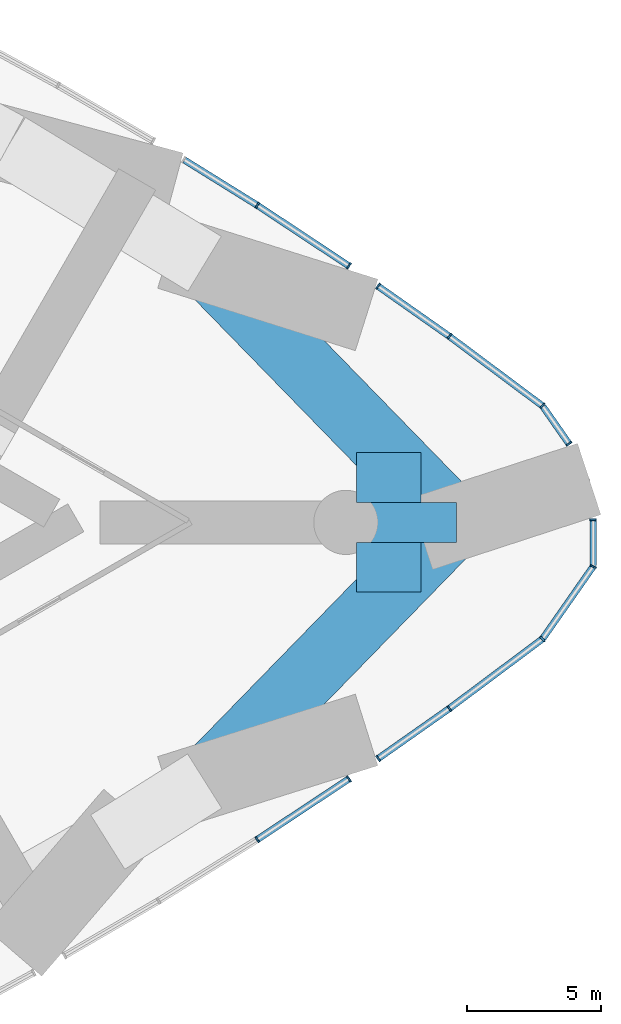
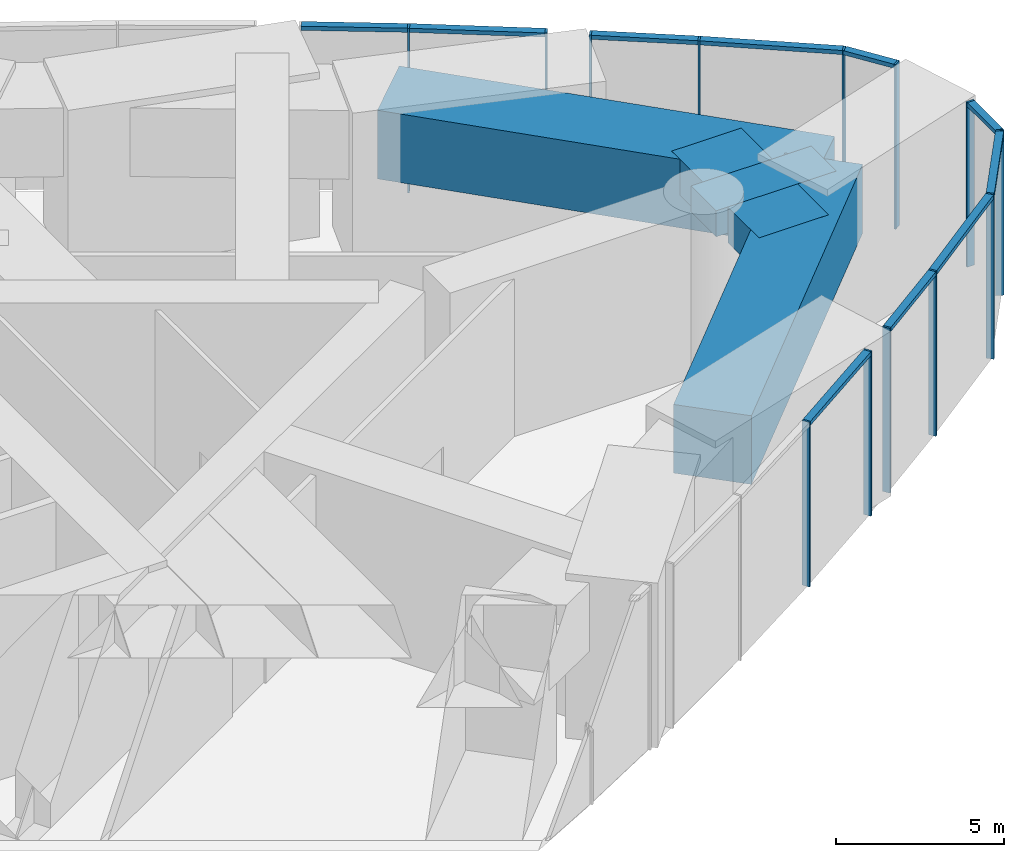
# One storey, part 8 of 16: 23 members, 5 beams, 4 elements without a shape of their own.
"""IFC4 building model written with IfcOpenShell, lengths in metres."""

from ifc_helpers import new_model, si_unit, direction, frame, origin, origin_2d, place, context, subcontext, project, spatial, rectangle, extrude, material, material_profile, profile_set, type_object, element, aggregate, save


model = new_model("IFC4")

# Units and contexts
model_context = context("Model", 3, precision=1e-05, world=origin(), true_north=direction((0.0, 1.0)))
body_context = subcontext(model_context, "Body", "Model", "MODEL_VIEW")
ifc_project = project(units=[si_unit("LENGTHUNIT", "METRE"), si_unit("AREAUNIT", "SQUARE_METRE"), si_unit("VOLUMEUNIT", "CUBIC_METRE"), si_unit("PLANEANGLEUNIT", "RADIAN"), si_unit("MASSUNIT", "GRAM", prefix="KILO")], contexts=[model_context])

# Site, building, storey
site_placement = place(None, origin())
site = spatial("IfcSite", under=ifc_project, at=site_placement, CompositionType="ELEMENT")
building_placement = place(site_placement, origin())
building = spatial("IfcBuilding", under=site, at=building_placement, Name="Lancet Gate Hotel", CompositionType="ELEMENT")
storey_placement = place(building_placement, frame((0.0, 0.0, 146.699951171875)))
storey = spatial("IfcBuildingStorey", under=building, at=storey_placement, Name="L39", CompositionType="ELEMENT", Elevation=146.699951171875)

# Curtain wall, members
ifc_material_1 = material(Name="Aluminium curtain wall", Category="aluminium")
curtain_wall_type = type_object("IfcCurtainWallType", Name="Refuge storey louvred curtain wall", PredefinedType="USERDEFINED", material=ifc_material_1)
curtain_wall_1_placement = place(storey_placement, origin())
curtain_wall_1 = element("IfcCurtainWall", 1, at=curtain_wall_1_placement, inside=storey, type_object=curtain_wall_type, Name="T2 L39 curtain wall 4", ObjectType="LANTERN GLAZING", PredefinedType="USERDEFINED")
ifc_material_2 = material(Name="Aluminium mullion", Category="aluminium")
ifc_material_profile_1 = material_profile(ifc_material_2, rectangle(XDim=0.06494140625, YDim=0.25, at=origin_2d()), Name="MULLION 65x250")
ifc_profile_set_1 = profile_set([ifc_material_profile_1], Name="Aluminium mullion")
member_type_1 = type_object("IfcMemberType", Name="Aluminium mullion 65x250", PredefinedType="MULLION", material=ifc_profile_set_1)
member_1_placement = place(storey_placement, frame((58.188720703125, -11.8603515625, 0.0), z_axis=(0.0, 0.0, 1.0), x_axis=(0.841950612048, 0.539554600455, 0.0)))
member_1 = element("IfcMember", 2, at=member_1_placement, type_object=member_type_1, Name="T2 L39 curtain wall 4 mullion 3", PredefinedType="MULLION", context=body_context, shape_type="SweptSolid", body=[
    extrude(rectangle(XDim=0.06494140625, YDim=0.25, at=origin_2d()), origin(), (0.0, 0.0, 1.0), 6.0),
])
member_2_placement = place(storey_placement, frame((61.616943359375, -9.592041015625, 0.0), z_axis=(0.0, 0.0, 1.0), x_axis=(0.83398495346, 0.551787184885, 0.0)))
member_2 = element("IfcMember", 3, at=member_2_placement, type_object=member_type_1, Name="T2 L39 curtain wall 4 mullion 4", PredefinedType="MULLION", context=body_context, shape_type="SweptSolid", body=[
    extrude(rectangle(XDim=0.06494140625, YDim=0.25, at=origin_2d()), origin(), (0.0, 0.0, 1.0), 6.0),
])

curtain_wall_2_placement = place(storey_placement, origin())
curtain_wall_2 = element("IfcCurtainWall", 4, at=curtain_wall_2_placement, inside=storey, type_object=curtain_wall_type, Name="T2 L39 curtain wall 5", ObjectType="LANTERN GLAZING", PredefinedType="USERDEFINED")
member_3_placement = place(storey_placement, frame((62.7080078125, -8.8330078125, 0.0), z_axis=(0.0, 0.0, 1.0), x_axis=(0.817979492167, 0.57524738191, 0.0)))
member_3 = element("IfcMember", 5, at=member_3_placement, type_object=member_type_1, Name="T2 L39 curtain wall 5 mullion 1", PredefinedType="MULLION", context=body_context, shape_type="SweptSolid", body=[
    extrude(rectangle(XDim=0.06494140625, YDim=0.25, at=origin_2d()), origin(), (0.0, 0.0, 1.0), 6.0),
])
member_4_placement = place(storey_placement, frame((65.370361328125, -6.9609375, 0.0), z_axis=(0.0, 0.0, 1.0), x_axis=(0.808529144106, 0.588456135265, 0.0)))
member_4 = element("IfcMember", 6, at=member_4_placement, type_object=member_type_1, Name="T2 L39 curtain wall 5 mullion 2", PredefinedType="MULLION", context=body_context, shape_type="SweptSolid", body=[
    extrude(rectangle(XDim=0.06494140625, YDim=0.25, at=origin_2d()), origin(), (0.0, 0.0, 1.0), 6.0),
])
member_5_placement = place(storey_placement, frame((68.853759765625, -4.360107421875, 0.0), z_axis=(0.0, 0.0, 1.0), x_axis=(0.711610374907, 0.702574319432, 0.0)))
member_5 = element("IfcMember", 7, at=member_5_placement, type_object=member_type_1, Name="T2 L39 curtain wall 5 mullion 3", PredefinedType="MULLION", context=body_context, shape_type="SweptSolid", body=[
    extrude(rectangle(XDim=0.06494140625, YDim=0.25, at=origin_2d()), origin(), (0.0, 0.0, 1.0), 6.0),
])
member_6_placement = place(storey_placement, frame((70.747314453125, -1.652099609375, 0.0), z_axis=(0.0, 0.0, 1.0), x_axis=(0.390582260484, 0.920568029966, 0.0)))
member_6 = element("IfcMember", 8, at=member_6_placement, type_object=member_type_1, Name="T2 L39 curtain wall 5 mullion 4", PredefinedType="MULLION", context=body_context, shape_type="SweptSolid", body=[
    extrude(rectangle(XDim=0.06494140625, YDim=0.25, at=origin_2d()), origin(), (0.0, 0.0, 1.0), 6.0),
])
member_7_placement = place(storey_placement, frame((70.747314453125, 0.1025390625, 0.0), z_axis=(0.0, 0.0, 1.0), x_axis=(0.0, 1.0, 0.0)))
member_7 = element("IfcMember", 9, at=member_7_placement, type_object=member_type_1, Name="T2 L39 curtain wall 5 mullion 5", PredefinedType="MULLION", context=body_context, shape_type="SweptSolid", body=[
    extrude(rectangle(XDim=0.06494140625, YDim=0.25, at=origin_2d()), origin(), (0.0, 0.0, 1.0), 6.0),
])

curtain_wall_3_placement = place(storey_placement, origin())
curtain_wall_3 = element("IfcCurtainWall", 10, at=curtain_wall_3_placement, inside=storey, type_object=curtain_wall_type, Name="T2 L39 curtain wall 6", ObjectType="LANTERN GLAZING", PredefinedType="USERDEFINED")
member_8_placement = place(storey_placement, frame((69.8466796875, 2.940185546875, 0.0), z_axis=(0.0, 0.0, 1.0), x_axis=(-0.573025075425, 0.819537834962, 0.0)))
member_8 = element("IfcMember", 11, at=member_8_placement, type_object=member_type_1, Name="T2 L39 curtain wall 6 mullion 1", PredefinedType="MULLION", context=body_context, shape_type="SweptSolid", body=[
    extrude(rectangle(XDim=0.06494140625, YDim=0.25, at=origin_2d()), origin(), (0.0, 0.0, 1.0), 6.0),
])
member_9_placement = place(storey_placement, frame((68.853759765625, 4.360107421875, 0.0), z_axis=(0.0, 0.0, 1.0), x_axis=(-0.743963478438, 0.668220280111, 0.0)))
member_9 = element("IfcMember", 12, at=member_9_placement, type_object=member_type_1, Name="T2 L39 curtain wall 6 mullion 2", PredefinedType="MULLION", context=body_context, shape_type="SweptSolid", body=[
    extrude(rectangle(XDim=0.06494140625, YDim=0.25, at=origin_2d()), origin(), (0.0, 0.0, 1.0), 6.0),
])
member_10_placement = place(storey_placement, frame((65.370361328125, 6.9609375, 0.0), z_axis=(0.0, 0.0, 1.0), x_axis=(-0.808529144106, 0.588456135265, 0.0)))
member_10 = element("IfcMember", 13, at=member_10_placement, type_object=member_type_1, Name="T2 L39 curtain wall 6 mullion 3", PredefinedType="MULLION", context=body_context, shape_type="SweptSolid", body=[
    extrude(rectangle(XDim=0.06494140625, YDim=0.25, at=origin_2d()), origin(), (0.0, 0.0, 1.0), 6.0),
])
member_11_placement = place(storey_placement, frame((62.7080078125, 8.8330078125, 0.0), z_axis=(0.0, 0.0, 1.0), x_axis=(-0.817979492167, 0.57524738191, 0.0)))
member_11 = element("IfcMember", 14, at=member_11_placement, type_object=member_type_1, Name="T2 L39 curtain wall 6 mullion 4", PredefinedType="MULLION", context=body_context, shape_type="SweptSolid", body=[
    extrude(rectangle(XDim=0.06494140625, YDim=0.25, at=origin_2d()), origin(), (0.0, 0.0, 1.0), 6.0),
])

curtain_wall_4_placement = place(storey_placement, origin())
curtain_wall_4 = element("IfcCurtainWall", 15, at=curtain_wall_4_placement, inside=storey, type_object=curtain_wall_type, Name="T2 L39 curtain wall 7", ObjectType="LANTERN GLAZING", PredefinedType="USERDEFINED")
member_12_placement = place(storey_placement, frame((61.616943359375, 9.592041015625, 0.0), z_axis=(0.0, 0.0, 1.0), x_axis=(-0.83398495346, 0.551787184885, 0.0)))
member_12 = element("IfcMember", 16, at=member_12_placement, type_object=member_type_1, Name="T2 L39 curtain wall 7 mullion 1", PredefinedType="MULLION", context=body_context, shape_type="SweptSolid", body=[
    extrude(rectangle(XDim=0.06494140625, YDim=0.25, at=origin_2d()), origin(), (0.0, 0.0, 1.0), 6.0),
])
member_13_placement = place(storey_placement, frame((58.188720703125, 11.8603515625, 0.0), z_axis=(0.0, 0.0, 1.0), x_axis=(-0.840826010075, 0.541305478248, 0.0)))
member_13 = element("IfcMember", 17, at=member_13_placement, type_object=member_type_1, Name="T2 L39 curtain wall 7 mullion 2", PredefinedType="MULLION", context=body_context, shape_type="SweptSolid", body=[
    extrude(rectangle(XDim=0.06494140625, YDim=0.25, at=origin_2d()), origin(), (0.0, 0.0, 1.0), 6.0),
])

# Member
ifc_material_3 = material(Name="Aluminium transom", Category="aluminium")
ifc_material_profile_2 = material_profile(ifc_material_3, rectangle(XDim=0.25, YDim=0.14990234375, at=origin_2d()), Name="TRANSOM 250x150")
ifc_profile_set_2 = profile_set([ifc_material_profile_2], Name="Aluminium transom")
member_type_2 = type_object("IfcMemberType", Name="Aluminium transom 250x150", PredefinedType="USERDEFINED", material=ifc_profile_set_2)
member_14_placement = place(storey_placement, frame((58.2158203125, -11.842529296875, 5.925048828125), z_axis=(0.8339763119, 0.551800245732, 0.0), x_axis=(-0.551800245732, 0.8339763119, 0.0)))
member_14 = element("IfcMember", 18, at=member_14_placement, type_object=member_type_2, Name="T2 L39 curtain wall 4 transom 3", ObjectType="TRANSOM", PredefinedType="USERDEFINED", context=body_context, shape_type="SweptSolid", body=[
    extrude(rectangle(XDim=0.25, YDim=0.14990234375, at=origin_2d()), origin(), (0.0, 0.0, 1.0), 4.045654296875),
])

aggregate(curtain_wall_1, [member_1, member_2, member_14])

member_15_placement = place(storey_placement, frame((62.734619140625, -8.814453125, 5.925048828125), z_axis=(0.817967820335, 0.575263978445, 0.0), x_axis=(-0.575263978445, 0.817967820335, 0.0)))
member_15 = element("IfcMember", 19, at=member_15_placement, type_object=member_type_2, Name="T2 L39 curtain wall 5 transom 1", ObjectType="TRANSOM", PredefinedType="USERDEFINED", context=body_context, shape_type="SweptSolid", body=[
    extrude(rectangle(XDim=0.25, YDim=0.14990234375, at=origin_2d()), origin(), (0.0, 0.0, 1.0), 3.189697265625),
])

member_16_placement = place(storey_placement, frame((65.396240234375, -6.94140625, 5.925048828125), z_axis=(0.801311559064, 0.598247261014, 0.0), x_axis=(-0.598247261014, 0.801311559064, 0.0)))
member_16 = element("IfcMember", 20, at=member_16_placement, type_object=member_type_2, Name="T2 L39 curtain wall 5 transom 2", ObjectType="TRANSOM", PredefinedType="USERDEFINED", context=body_context, shape_type="SweptSolid", body=[
    extrude(rectangle(XDim=0.25, YDim=0.14990234375, at=origin_2d()), origin(), (0.0, 0.0, 1.0), 4.282470703125),
])

member_17_placement = place(storey_placement, frame((68.87255859375, -4.33349609375, 5.925048828125), z_axis=(0.573017137751, 0.819543384967, 0.0), x_axis=(-0.819543384967, 0.573017137751, 0.0)))
member_17 = element("IfcMember", 21, at=member_17_placement, type_object=member_type_2, Name="T2 L39 curtain wall 5 transom 3", ObjectType="TRANSOM", PredefinedType="USERDEFINED", context=body_context, shape_type="SweptSolid", body=[
    extrude(rectangle(XDim=0.25, YDim=0.14990234375, at=origin_2d()), origin(), (0.0, 0.0, 1.0), 3.2392578125),
])

member_18_placement = place(storey_placement, frame((70.747314453125, -1.61962890625, 5.925048828125), z_axis=(0.0, 1.0, 0.0), x_axis=(-1.0, 0.0, 0.0)))
member_18 = element("IfcMember", 22, at=member_18_placement, type_object=member_type_2, Name="T2 L39 curtain wall 5 transom 4", ObjectType="TRANSOM", PredefinedType="USERDEFINED", context=body_context, shape_type="SweptSolid", body=[
    extrude(rectangle(XDim=0.25, YDim=0.14990234375, at=origin_2d()), origin(), (0.0, 0.0, 1.0), 1.689697265625),
])

aggregate(curtain_wall_2, [member_3, member_4, member_5, member_6, member_7, member_15, member_16, member_17, member_18])

member_19_placement = place(storey_placement, frame((69.828125, 2.966796875, 5.925048828125), z_axis=(-0.573010283395, 0.819548177427, 0.0), x_axis=(-0.819548177427, -0.573010283395, 0.0)))
member_19 = element("IfcMember", 23, at=member_19_placement, type_object=member_type_2, Name="T2 L39 curtain wall 6 transom 1", ObjectType="TRANSOM", PredefinedType="USERDEFINED", context=body_context, shape_type="SweptSolid", body=[
    extrude(rectangle(XDim=0.25, YDim=0.14990234375, at=origin_2d()), origin(), (0.0, 0.0, 1.0), 1.667724609375),
])

member_20_placement = place(storey_placement, frame((68.827880859375, 4.37939453125, 5.925048828125), z_axis=(-0.801311559064, 0.598247261014, 0.0), x_axis=(-0.598247261014, -0.801311559064, 0.0)))
member_20 = element("IfcMember", 24, at=member_20_placement, type_object=member_type_2, Name="T2 L39 curtain wall 6 transom 2", ObjectType="TRANSOM", PredefinedType="USERDEFINED", context=body_context, shape_type="SweptSolid", body=[
    extrude(rectangle(XDim=0.25, YDim=0.14990234375, at=origin_2d()), origin(), (0.0, 0.0, 1.0), 4.282470703125),
])

member_21_placement = place(storey_placement, frame((65.34375, 6.9794921875, 5.925048828125), z_axis=(-0.817967820335, 0.575263978445, 0.0), x_axis=(-0.575263978445, -0.817967820335, 0.0)))
member_21 = element("IfcMember", 25, at=member_21_placement, type_object=member_type_2, Name="T2 L39 curtain wall 6 transom 3", ObjectType="TRANSOM", PredefinedType="USERDEFINED", context=body_context, shape_type="SweptSolid", body=[
    extrude(rectangle(XDim=0.25, YDim=0.14990234375, at=origin_2d()), origin(), (0.0, 0.0, 1.0), 3.189697265625),
])

aggregate(curtain_wall_3, [member_8, member_9, member_10, member_11, member_19, member_20, member_21])

member_22_placement = place(storey_placement, frame((61.58984375, 9.610107421875, 5.925048828125), z_axis=(-0.8339763119, 0.551800245732, 0.0), x_axis=(-0.551800245732, -0.8339763119, 0.0)))
member_22 = element("IfcMember", 26, at=member_22_placement, type_object=member_type_2, Name="T2 L39 curtain wall 7 transom 1", ObjectType="TRANSOM", PredefinedType="USERDEFINED", context=body_context, shape_type="SweptSolid", body=[
    extrude(rectangle(XDim=0.25, YDim=0.14990234375, at=origin_2d()), origin(), (0.0, 0.0, 1.0), 4.045654296875),
])

member_23_placement = place(storey_placement, frame((58.1611328125, 11.87744140625, 5.925048828125), z_axis=(-0.849304896357, 0.527902635932, 0.0), x_axis=(-0.527902635932, -0.849304896357, 0.0)))
member_23 = element("IfcMember", 27, at=member_23_placement, type_object=member_type_2, Name="T2 L39 curtain wall 7 transom 2", ObjectType="TRANSOM", PredefinedType="USERDEFINED", context=body_context, shape_type="SweptSolid", body=[
    extrude(rectangle(XDim=0.25, YDim=0.14990234375, at=origin_2d()), origin(), (0.0, 0.0, 1.0), 3.17431640625),
])

aggregate(curtain_wall_4, [member_12, member_13, member_22, member_23])

# Beams
ifc_material_4 = material(Name="Concrete C50/60", Category="concrete")
ifc_material_profile_3 = material_profile(ifc_material_4, rectangle(XDim=2.39990234375, YDim=1.300048828125, at=origin_2d()), Name="RC 2400x1300")
ifc_profile_set_3 = profile_set([ifc_material_profile_3], Name="Concrete C50/60")
beam_type_1 = type_object("IfcBeamType", Name="Floor beam RC 2400x1300", PredefinedType="BEAM", material=ifc_profile_set_3)
for number, where, z_axis, x_axis, name in (
    (28, (63.102294921875, -2.605712890625, 5.10009765625), (0.0, 1.0, 0.0), (-1.0, 0.0, 0.0), "T2 floor beam F10S L39"),
    (29, (63.102294921875, 0.75, 5.10009765625), (0.0, 1.0, 0.0), (-1.0, 0.0, 0.0), "T2 floor beam F11N L39"),
):
    element("IfcBeam", number, at=place(storey_placement, frame(where, z_axis=z_axis, x_axis=x_axis)), inside=storey, type_object=beam_type_1, Name=name, PredefinedType="BEAM", context=body_context, shape_type="SweptSolid", body=[
        extrude(rectangle(XDim=2.39990234375, YDim=1.300048828125, at=origin_2d()), origin(), (0.0, 0.0, 1.0), 1.855712890625),
    ])
ifc_material_5 = material(Name="Concrete C50/60", Category="concrete")
ifc_material_profile_4 = material_profile(ifc_material_5, rectangle(XDim=1.5, YDim=0.949951171875, at=origin_2d()), Name="RC 1500x950")
ifc_profile_set_4 = profile_set([ifc_material_profile_4], Name="Concrete C50/60")
beam_type_2 = type_object("IfcBeamType", Name="Radial floor beam RC 1500x950", PredefinedType="BEAM", material=ifc_profile_set_4)
beam_placement = place(storey_placement, frame((65.6396484375, 0.0, 5.275146484375), z_axis=(-1.0, 0.0, 0.0), x_axis=(0.0, -1.0, 0.0)))
element("IfcBeam", 30, at=beam_placement, inside=storey, type_object=beam_type_2, Name="T2 radial beam CA L39", PredefinedType="BEAM", context=body_context, shape_type="SweptSolid", body=[
    extrude(rectangle(XDim=1.5, YDim=0.949951171875, at=origin_2d()), origin(), (0.0, 0.0, 1.0), 4.1396484375),
])
ifc_material_6 = material(Name="Concrete C50/60", Category="concrete")
ifc_material_profile_5 = material_profile(ifc_material_6, rectangle(XDim=2.39990234375, YDim=2.5, at=origin_2d()), Name="RC 2400x2500")
ifc_profile_set_5 = profile_set([ifc_material_profile_5], Name="Concrete C50/60")
beam_type_3 = type_object("IfcBeamType", Name="Tie ring beam RC 2400x2500", PredefinedType="SPANDREL", material=ifc_profile_set_5)
for number, where, z_axis, x_axis, name in (
    (31, (56.220947265625, -9.67236328125, 4.5), (0.697649905443, 0.716438838587, 0.0), (-0.716438838587, 0.697649905443, 0.0), "T2 tie ring beam RG1 L39"),
    (32, (65.6396484375, 0.0, 4.5), (-0.697649905443, 0.716438838587, 0.0), (-0.716438838587, -0.697649905443, 0.0), "T2 tie ring beam RG1 L39"),
):
    element("IfcBeam", number, at=place(storey_placement, frame(where, z_axis=z_axis, x_axis=x_axis)), inside=storey, type_object=beam_type_3, Name=name, PredefinedType="SPANDREL", context=body_context, shape_type="SweptSolid", body=[
        extrude(rectangle(XDim=2.39990234375, YDim=2.5, at=origin_2d()), origin(), (0.0, 0.0, 1.0), 13.500732421875),
    ])

save(model, "model.ifc")
